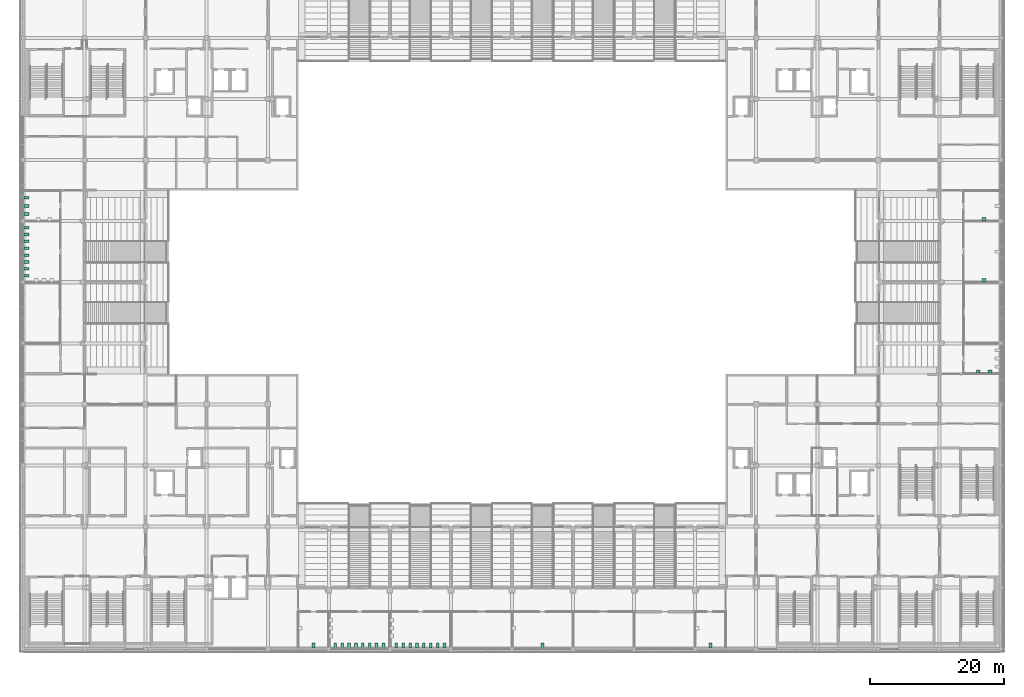
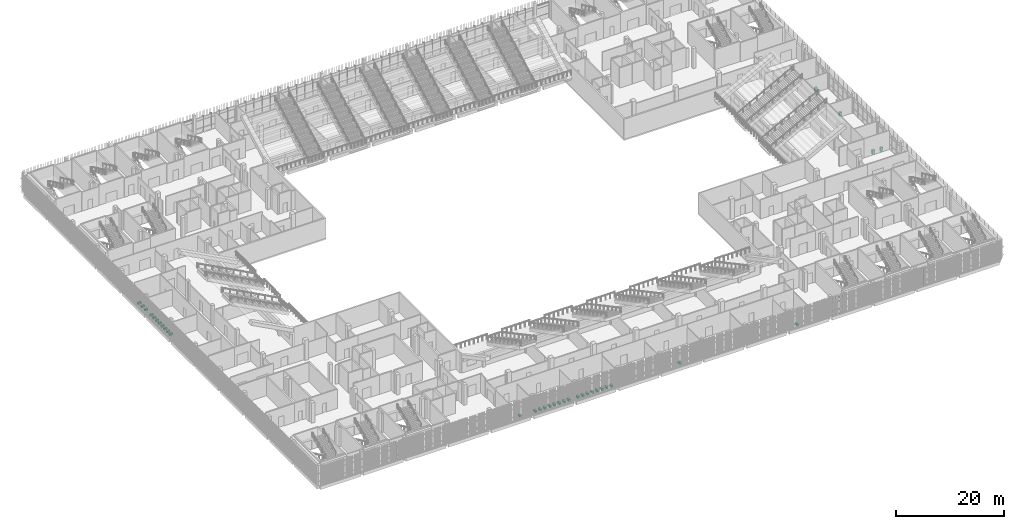
# One storey, part 138 of 139: 34 sanitary terminals.
"""IFC4 building model written with IfcOpenShell, lengths in metres."""

from ifc_helpers import new_model, si_unit, direction, frame, origin, origin_2d, place, context, subcontext, project, spatial, rectangle, extrude, element, save


model = new_model("IFC4")

# Units and contexts
model_context = context("Model", 3, precision=1e-05, world=origin(), true_north=direction((0.0, 1.0)))
body_context = subcontext(model_context, "Body", "Model", "MODEL_VIEW")
ifc_project = project(units=[si_unit("LENGTHUNIT", "METRE"), si_unit("AREAUNIT", "SQUARE_METRE"), si_unit("VOLUMEUNIT", "CUBIC_METRE"), si_unit("PLANEANGLEUNIT", "RADIAN"), si_unit("MASSUNIT", "GRAM", prefix="KILO")], contexts=[model_context])

# Site, building, storey
site_placement = place(None, origin())
site = spatial("IfcSite", under=ifc_project, at=site_placement, CompositionType="ELEMENT")
building_placement = place(site_placement, origin())
building = spatial("IfcBuilding", under=site, at=building_placement, Name="Shirokan Park Arena", CompositionType="ELEMENT")
storey_placement = place(building_placement, frame((0.0, 0.0, 15.469970703125)))
storey = spatial("IfcBuildingStorey", under=building, at=storey_placement, Name="L03", CompositionType="ELEMENT", Elevation=15.469970703125)

# Sanitary terminals
for number, where, z_axis, x_axis, name in (
    (1, (142.27490234375, 41.27490234375, 0.0), (0.0, 0.0, 1.0), (1.0, 0.0, 0.0), "Washbasin Women's WC 3.21"),
    (2, (144.02490234375, 41.27490234375, 0.0), (0.0, 0.0, 1.0), (1.0, 0.0, 0.0), "Washbasin Women's WC 3.21"),
    (3, (143.14990234375, 54.925048828125, 0.0), (0.0, 0.0, 1.0), (1.0, 0.0, 0.0), "Washbasin Accessible WC 3.23"),
    (4, (143.14990234375, 64.02490234375, 0.0), (0.0, 0.0, 1.0), (1.0, 0.0, 0.0), "Washbasin Accessible WC 3.24"),
):
    element("IfcSanitaryTerminal", number, at=place(storey_placement, frame(where, z_axis=z_axis, x_axis=x_axis)), inside=storey, Name=name, PredefinedType="WASHHANDBASIN", context=body_context, shape_type="SweptSolid", body=[
        extrude(rectangle(XDim=0.550048828125, YDim=0.449951171875, at=origin_2d()), origin(), (0.0, 0.0, 1.0), 0.85009765625),
    ])
for number, where, z_axis, x_axis, name in (
    (5, (43.22509765625, 0.449951171875, 0.0), (0.0, 0.0, 1.0), (1.0, 0.0, 0.0), "Water closet Accessible WC 3.11"),
    (6, (46.46240234375, 0.449951171875, 0.0), (0.0, 0.0, 1.0), (1.0, 0.0, 0.0), "Water closet Men's WC 3.12"),
    (7, (47.487548828125, 0.449951171875, 0.0), (0.0, 0.0, 1.0), (1.0, 0.0, 0.0), "Water closet Men's WC 3.12"),
    (8, (48.512451171875, 0.449951171875, 0.0), (0.0, 0.0, 1.0), (1.0, 0.0, 0.0), "Water closet Men's WC 3.12"),
    (9, (49.53759765625, 0.449951171875, 0.0), (0.0, 0.0, 1.0), (1.0, 0.0, 0.0), "Water closet Men's WC 3.12"),
    (10, (50.5625, 0.449951171875, 0.0), (0.0, 0.0, 1.0), (1.0, 0.0, 0.0), "Water closet Men's WC 3.12"),
    (11, (51.58740234375, 0.449951171875, 0.0), (0.0, 0.0, 1.0), (1.0, 0.0, 0.0), "Water closet Men's WC 3.12"),
    (12, (52.612548828125, 0.449951171875, 0.0), (0.0, 0.0, 1.0), (1.0, 0.0, 0.0), "Water closet Men's WC 3.12"),
    (13, (53.637451171875, 0.449951171875, 0.0), (0.0, 0.0, 1.0), (1.0, 0.0, 0.0), "Water closet Men's WC 3.12"),
    (14, (55.5625, 0.449951171875, 0.0), (0.0, 0.0, 1.0), (1.0, 0.0, 0.0), "Water closet Women's WC 3.13"),
    (15, (56.58740234375, 0.449951171875, 0.0), (0.0, 0.0, 1.0), (1.0, 0.0, 0.0), "Water closet Women's WC 3.13"),
    (16, (57.612548828125, 0.449951171875, 0.0), (0.0, 0.0, 1.0), (1.0, 0.0, 0.0), "Water closet Women's WC 3.13"),
    (17, (58.637451171875, 0.449951171875, 0.0), (0.0, 0.0, 1.0), (1.0, 0.0, 0.0), "Water closet Women's WC 3.13"),
    (18, (59.66259765625, 0.449951171875, 0.0), (0.0, 0.0, 1.0), (1.0, 0.0, 0.0), "Water closet Women's WC 3.13"),
    (19, (60.6875, 0.449951171875, 0.0), (0.0, 0.0, 1.0), (1.0, 0.0, 0.0), "Water closet Women's WC 3.13"),
    (20, (61.71240234375, 0.449951171875, 0.0), (0.0, 0.0, 1.0), (1.0, 0.0, 0.0), "Water closet Women's WC 3.13"),
    (21, (62.737548828125, 0.449951171875, 0.0), (0.0, 0.0, 1.0), (1.0, 0.0, 0.0), "Water closet Women's WC 3.13"),
    (22, (77.35009765625, 0.449951171875, 0.0), (0.0, 0.0, 1.0), (1.0, 0.0, 0.0), "Water closet Accessible WC 3.15"),
    (23, (102.375, 0.449951171875, 0.0), (0.0, 0.0, 1.0), (1.0, 0.0, 0.0), "Water closet Accessible WC 3.18"),
):
    element("IfcSanitaryTerminal", number, at=place(storey_placement, frame(where, z_axis=z_axis, x_axis=x_axis)), inside=storey, Name=name, PredefinedType="TOILETPAN", context=body_context, shape_type="SweptSolid", body=[
        extrude(rectangle(XDim=0.39990234375, YDim=0.699951171875, at=origin_2d()), origin(), (0.0, 0.0, 1.0), 0.39990234375),
    ])
for number, where, z_axis, x_axis, name in (
    (24, (0.449951171875, 55.5625, 0.0), (0.0, 0.0, 1.0), (1.0, 0.0, 0.0), "Water closet Men's WC 3.43"),
    (25, (0.449951171875, 56.58740234375, 0.0), (0.0, 0.0, 1.0), (1.0, 0.0, 0.0), "Water closet Men's WC 3.43"),
    (26, (0.449951171875, 57.612548828125, 0.0), (0.0, 0.0, 1.0), (1.0, 0.0, 0.0), "Water closet Men's WC 3.43"),
    (27, (0.449951171875, 58.637451171875, 0.0), (0.0, 0.0, 1.0), (1.0, 0.0, 0.0), "Water closet Men's WC 3.43"),
    (28, (0.449951171875, 59.66259765625, 0.0), (0.0, 0.0, 1.0), (1.0, 0.0, 0.0), "Water closet Men's WC 3.43"),
    (29, (0.449951171875, 60.6875, 0.0), (0.0, 0.0, 1.0), (1.0, 0.0, 0.0), "Water closet Men's WC 3.43"),
    (30, (0.449951171875, 61.71240234375, 0.0), (0.0, 0.0, 1.0), (1.0, 0.0, 0.0), "Water closet Men's WC 3.43"),
    (31, (0.449951171875, 62.737548828125, 0.0), (0.0, 0.0, 1.0), (1.0, 0.0, 0.0), "Water closet Men's WC 3.43"),
    (32, (0.449951171875, 64.75830078125, 0.0), (0.0, 0.0, 1.0), (1.0, 0.0, 0.0), "Water closet Women's WC 3.44"),
    (33, (0.449951171875, 65.97509765625, 0.0), (0.0, 0.0, 1.0), (1.0, 0.0, 0.0), "Water closet Women's WC 3.44"),
    (34, (0.449951171875, 67.191650390625, 0.0), (0.0, 0.0, 1.0), (1.0, 0.0, 0.0), "Water closet Women's WC 3.44"),
):
    element("IfcSanitaryTerminal", number, at=place(storey_placement, frame(where, z_axis=z_axis, x_axis=x_axis)), inside=storey, Name=name, PredefinedType="TOILETPAN", context=body_context, shape_type="SweptSolid", body=[
        extrude(rectangle(XDim=0.699951171875, YDim=0.39990234375, at=origin_2d()), origin(), (0.0, 0.0, 1.0), 0.39990234375),
    ])

save(model, "model.ifc")
